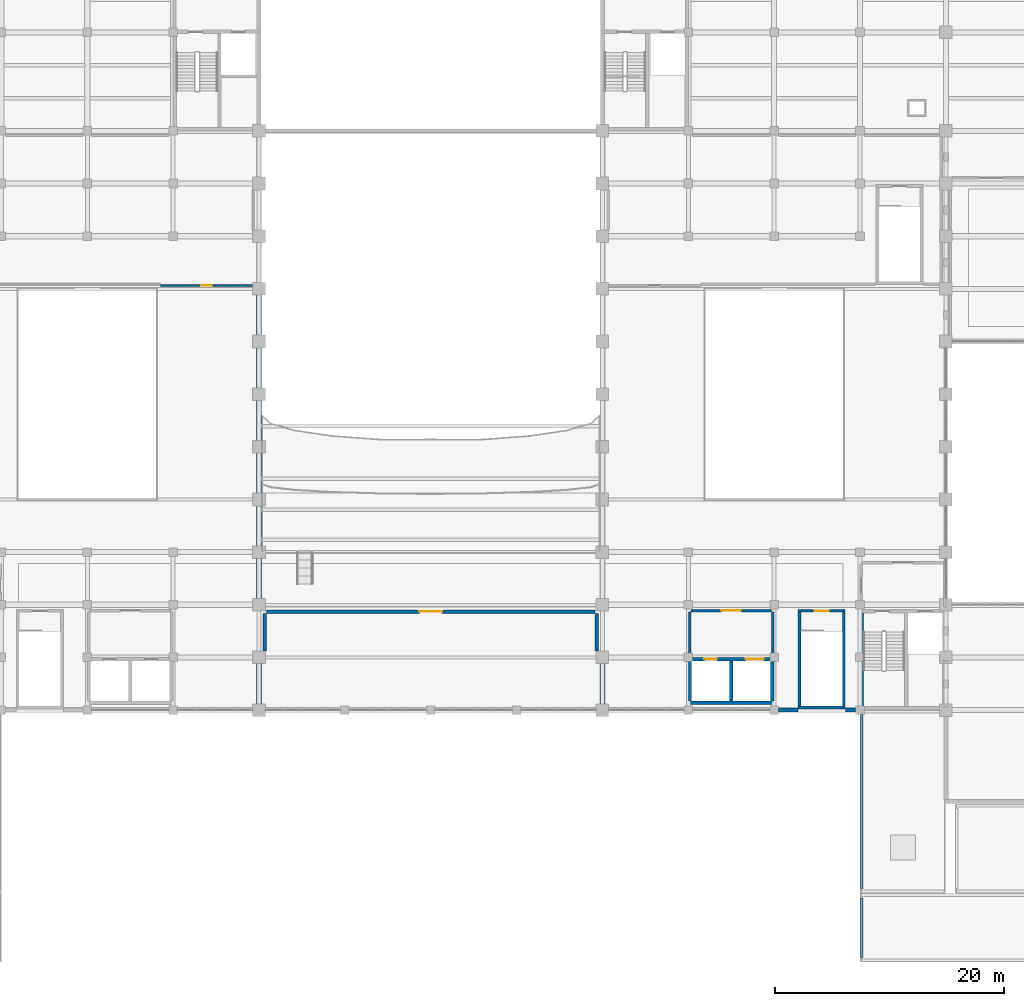
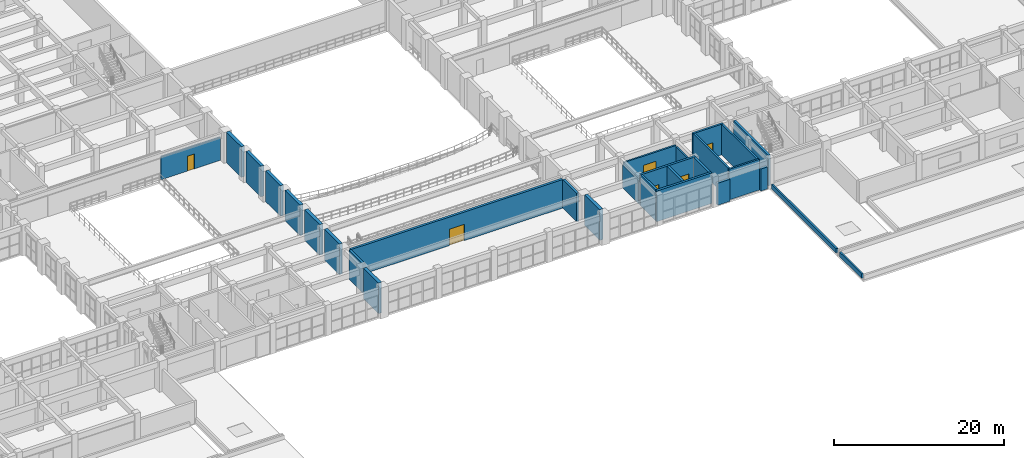
# One storey, part 70 of 90: 29 walls, 6 doors, 6 openings.
"""IFC4 building model written with IfcOpenShell, lengths in metres."""

from ifc_helpers import new_model, si_unit, direction, frame, frame_2d, origin, place, context, subcontext, project, spatial, rectangle, extrude, material, layer, layer_set, type_object, element, fill, save


model = new_model("IFC4")

# Units and contexts
model_context = context("Model", 3, precision=1e-05, world=origin(), true_north=direction((0.0, 1.0)))
body_context = subcontext(model_context, "Body", "Model", "MODEL_VIEW")
ifc_project = project(units=[si_unit("LENGTHUNIT", "METRE"), si_unit("AREAUNIT", "SQUARE_METRE"), si_unit("VOLUMEUNIT", "CUBIC_METRE"), si_unit("PLANEANGLEUNIT", "RADIAN"), si_unit("MASSUNIT", "GRAM", prefix="KILO")], contexts=[model_context])

# Site, building, storey
site_placement = place(None, origin())
site = spatial("IfcSite", under=ifc_project, at=site_placement, CompositionType="ELEMENT")
building_placement = place(site_placement, origin())
building = spatial("IfcBuilding", under=site, at=building_placement, Name="Muzn Square Opera House", CompositionType="ELEMENT")
storey_placement = place(building_placement, frame((0.0, 0.0, 9.800048828125)))
storey = spatial("IfcBuildingStorey", under=building, at=storey_placement, Name="L02", CompositionType="ELEMENT", Elevation=9.800048828125)

# Wall, opening, door
ifc_material_1 = material(Name="Acoustic gypsum stud partition", Category="gypsum")
ifc_layer_1 = layer(ifc_material_1, 0.320068359375, Name="Acoustic gypsum stud partition", Category="gypsum")
ifc_layer_set_1 = layer_set([ifc_layer_1], Name="Acoustic gypsum stud partition")
wall_type_1 = type_object("IfcWallType", Name="Acoustic Studio Double Wall 320mm", PredefinedType="PARTITIONING", material=ifc_layer_set_1)
wall_1_placement = place(storey_placement, frame((73.64501953125, 30.60009765625, 0.0), z_axis=(0.0, 0.0, 1.0), x_axis=(1.0, 0.0, 0.0)))
wall_1 = element("IfcWall", 1, at=wall_1_placement, inside=storey, type_object=wall_type_1, Name="Interior Partition PW-L02-0248", PredefinedType="PARTITIONING", context=body_context, shape_type="SweptSolid", body=[
    extrude(rectangle(XDim=28.7099609375, YDim=0.320068359375, at=frame_2d((14.35498046875, 0.0))), origin(), (0.0, 0.0, 1.0), 4.099853515625),
])
opening_1_placement = place(wall_1_placement, frame((13.35498046875, 0.0, 0.0)))
opening_1 = element("IfcOpeningElement", 2, at=opening_1_placement, cuts=wall_1, Name="Opening DR-AU20", PredefinedType="OPENING", context=body_context, shape_type="SweptSolid", body=[
    extrude(rectangle(XDim=2.0, YDim=2.35009765625, at=frame_2d((1.0, 1.175048828125))), frame((0.0, 0.169921875, 0.0), z_axis=(0.0, -1.0, 0.0), x_axis=(1.0, 0.0, 0.0)), (0.0, 0.0, 1.0), 0.340087890625),
])
ifc_material_2 = material(Name="Acoustic hardwood leaf", Category="wood")
door_type_1 = type_object("IfcDoorType", Name="Auditorium Acoustic Sound-Lock Pair 2000x2350", OperationType="DOUBLE_DOOR_SINGLE_SWING", PredefinedType="DOOR", material=ifc_material_2)
door_1_placement = place(opening_1_placement, origin())
door_1 = element("IfcDoor", 3, at=door_1_placement, inside=storey, type_object=door_type_1, Name="Auditorium Upper Circle Door DR-L02-0070", OperationType="DOUBLE_DOOR_SINGLE_SWING", OverallHeight=2.35009765625, OverallWidth=2.0, PredefinedType="DOOR", context=body_context, shape_type="SweptSolid", body=[
    extrude(rectangle(XDim=2.0, YDim=2.35009765625, at=frame_2d((1.0, 1.175048828125))), frame((0.0, 0.02490234375, 0.0), z_axis=(0.0, -1.0, 0.0), x_axis=(1.0, 0.0, 0.0)), (0.0, 0.0, 1.0), 0.050048828125),
])
fill(opening_1, door_1)

# Walls
for number, where, z_axis, x_axis, name in (
    (4, (73.5, 27.169921875, 0.0), (0.0, 0.0, 1.0), (0.0, 1.0, 0.0), "Room Enclosure Partition PW-L02-0294"),
    (5, (102.5, 27.169921875, 0.0), (0.0, 0.0, 1.0), (0.0, 1.0, 0.0), "Room Enclosure Partition PW-L02-0295"),
):
    element("IfcWall", number, at=place(storey_placement, frame(where, z_axis=z_axis, x_axis=x_axis)), inside=storey, type_object=wall_type_1, Name=name, PredefinedType="PARTITIONING", context=body_context, shape_type="SweptSolid", body=[
        extrude(rectangle(XDim=3.28515625, YDim=0.320068359375, at=frame_2d((1.642578125, 0.0))), origin(), (0.0, 0.0, 1.0), 4.099853515625),
    ])
ifc_material_3 = material(Name="Concrete C45/55", Category="concrete")
ifc_layer_2 = layer(ifc_material_3, 0.419921875, Name="Concrete C45/55", Category="concrete")
ifc_layer_set_2 = layer_set([ifc_layer_2], Name="Concrete C45/55")
wall_type_2 = type_object("IfcWallType", Name="Auditorium Acoustic Shear Wall 420mm", PredefinedType="SHEAR", material=ifc_layer_set_2)
for number, where, z_axis, x_axis, name in (
    (6, (73.0, 22.5400390625, 0.0), (0.0, 0.0, 1.0), (0.0, 1.0, 0.0), "Auditorium Acoustic Shear Wall AUDW-L02-W00"),
    (7, (103.0, 22.5400390625, 0.0), (0.0, 0.0, 1.0), (0.0, 1.0, 0.0), "Auditorium Acoustic Shear Wall AUDW-L02-E00"),
    (8, (73.0, 31.739990234375, 0.0), (0.0, 0.0, 1.0), (0.0, 1.0, 0.0), "Auditorium Acoustic Shear Wall AUDW-L02-W02"),
    (9, (73.0, 36.340087890625, 0.0), (0.0, 0.0, 1.0), (0.0, 1.0, 0.0), "Auditorium Acoustic Shear Wall AUDW-L02-W03"),
    (10, (73.0, 40.93994140625, 0.0), (0.0, 0.0, 1.0), (0.0, 1.0, 0.0), "Auditorium Acoustic Shear Wall AUDW-L02-W04"),
    (11, (73.0, 45.5400390625, 0.0), (0.0, 0.0, 1.0), (0.0, 1.0, 0.0), "Auditorium Acoustic Shear Wall AUDW-L02-W05"),
    (12, (73.0, 50.139892578125, 0.0), (0.0, 0.0, 1.0), (0.0, 1.0, 0.0), "Auditorium Acoustic Shear Wall AUDW-L02-W06"),
    (13, (73.0, 54.739990234375, 0.0), (0.0, 0.0, 1.0), (0.0, 1.0, 0.0), "Auditorium Acoustic Shear Wall AUDW-L02-W07"),
):
    element("IfcWall", number, at=place(storey_placement, frame(where, z_axis=z_axis, x_axis=x_axis)), inside=storey, type_object=wall_type_2, Name=name, PredefinedType="SHEAR", context=body_context, shape_type="SweptSolid", body=[
        extrude(rectangle(XDim=3.52001953125, YDim=0.419921875, at=frame_2d((1.760009765625, 0.0))), origin(), (0.0, 0.0, 1.0), 4.39990234375),
    ])
ifc_layer_3 = layer(ifc_material_3, 0.25, Name="Concrete C45/55", Category="concrete")
ifc_layer_set_3 = layer_set([ifc_layer_3], Name="Concrete C45/55")
wall_type_3 = type_object("IfcWallType", Name="Aux Stair Enclosure Wall 250mm", PredefinedType="SHEAR", material=ifc_layer_set_3)
wall_2_placement = place(storey_placement, frame((120.10009765625, 22.22509765625, 0.0), z_axis=(0.0, 0.0, 1.0), x_axis=(1.0, 0.0, 0.0)))
element("IfcWall", 14, at=wall_2_placement, inside=storey, type_object=wall_type_3, Name="Escape Stair ST-12 Wall S L02", PredefinedType="SHEAR", context=body_context, shape_type="SweptSolid", body=[
    extrude(rectangle(XDim=4.099853515625, YDim=0.25, at=frame_2d((2.0498046875, 0.0))), origin(), (0.0, 0.0, 1.0), 4.39990234375),
])
for number, where, z_axis, x_axis, name in (
    (15, (120.22509765625, 22.35009765625, 0.0), (0.0, 0.0, 1.0), (0.0, 1.0, 0.0), "Escape Stair ST-12 Wall W L02"),
    (16, (124.074951171875, 22.35009765625, 0.0), (0.0, 0.0, 1.0), (0.0, 1.0, 0.0), "Escape Stair ST-12 Wall E L02"),
):
    element("IfcWall", number, at=place(storey_placement, frame(where, z_axis=z_axis, x_axis=x_axis)), inside=storey, type_object=wall_type_3, Name=name, PredefinedType="SHEAR", context=body_context, shape_type="SweptSolid", body=[
        extrude(rectangle(XDim=8.199951171875, YDim=0.25, at=frame_2d((4.10009765625, 0.0))), origin(), (0.0, 0.0, 1.0), 4.39990234375),
    ])

# Wall, opening, door
wall_3_placement = place(storey_placement, frame((120.10009765625, 30.675048828125, 0.0), z_axis=(0.0, 0.0, 1.0), x_axis=(1.0, 0.0, 0.0)))
wall_3 = element("IfcWall", 17, at=wall_3_placement, inside=storey, type_object=wall_type_3, Name="Escape Stair ST-12 Wall N L02", PredefinedType="SHEAR", context=body_context, shape_type="SweptSolid", body=[
    extrude(rectangle(XDim=4.099853515625, YDim=0.25, at=frame_2d((2.0498046875, 0.0))), origin(), (0.0, 0.0, 1.0), 4.39990234375),
])
opening_2_placement = place(wall_3_placement, frame((1.449951171875, 0.0, 0.0)))
opening_2 = element("IfcOpeningElement", 18, at=opening_2_placement, cuts=wall_3, Name="Opening DR-ST12", PredefinedType="OPENING", context=body_context, shape_type="SweptSolid", body=[
    extrude(rectangle(XDim=1.199951171875, YDim=2.14990234375, at=frame_2d((0.60009765625, 1.074951171875))), frame((0.0, 0.135009765625, 0.0), z_axis=(0.0, -1.0, 0.0), x_axis=(1.0, 0.0, 0.0)), (0.0, 0.0, 1.0), 0.27001953125),
])
ifc_material_4 = material(Name="Galvanised painted steel leaf", Category="metal")
door_type_2 = type_object("IfcDoorType", Name="Core Stair Fire Door 1200x2150", OperationType="NOTDEFINED", PredefinedType="DOOR", material=ifc_material_4)
door_2_placement = place(opening_2_placement, origin())
door_2 = element("IfcDoor", 19, at=door_2_placement, inside=storey, type_object=door_type_2, Name="Escape Stair ST-12 Door L02", OperationType="SINGLE_SWING_LEFT", OverallHeight=2.14990234375, OverallWidth=1.199951171875, PredefinedType="DOOR", context=body_context, shape_type="SweptSolid", body=[
    extrude(rectangle(XDim=1.199951171875, YDim=2.14990234375, at=frame_2d((0.60009765625, 1.074951171875))), frame((0.0, 0.02490234375, 0.0), z_axis=(0.0, -1.0, 0.0), x_axis=(1.0, 0.0, 0.0)), (0.0, 0.0, 1.0), 0.050048828125),
])
fill(opening_2, door_2)

# Walls
ifc_layer_4 = layer(ifc_material_3, 0.300048828125, Name="Concrete C45/55", Category="concrete")
ifc_layer_set_4 = layer_set([ifc_layer_4], Name="Concrete C45/55")
wall_type_4 = type_object("IfcWallType", Name="Core Shear Wall 300mm", PredefinedType="SHEAR", material=ifc_layer_set_4)
wall_4_placement = place(storey_placement, frame((125.64990234375, 22.300048828125, 0.0), z_axis=(0.0, 0.0, 1.0), x_axis=(0.0, 1.0, 0.0)))
element("IfcWall", 20, at=wall_4_placement, inside=storey, type_object=wall_type_4, Name="Core C4 Shear Wall SW-C4-L02-W", PredefinedType="SHEAR", context=body_context, shape_type="SweptSolid", body=[
    extrude(rectangle(XDim=8.199951171875, YDim=0.300048828125, at=frame_2d((4.10009765625, 0.0))), origin(), (0.0, 0.0, 1.0), 4.39990234375),
])
wall_5_placement = place(storey_placement, frame((110.5, 22.64990234375, 0.0), z_axis=(0.0, 0.0, 1.0), x_axis=(1.0, 0.0, 0.0)))
element("IfcWall", 21, at=wall_5_placement, inside=storey, type_object=wall_type_4, Name="Lift Bank LBE Shear Wall SW-LBE-L02-S", PredefinedType="SHEAR", context=body_context, shape_type="SweptSolid", body=[
    extrude(rectangle(XDim=7.5, YDim=0.300048828125, at=frame_2d((3.75, 0.0))), origin(), (0.0, 0.0, 1.0), 4.39990234375),
])
for number, where, z_axis, x_axis, name in (
    (22, (110.64990234375, 22.800048828125, 0.0), (0.0, 0.0, 1.0), (0.0, 1.0, 0.0), "Lift Bank LBE Shear Wall SW-LBE-L02-W"),
    (23, (117.85009765625, 22.800048828125, 0.0), (0.0, 0.0, 1.0), (0.0, 1.0, 0.0), "Lift Bank LBE Shear Wall SW-LBE-L02-E"),
    (24, (114.25, 22.800048828125, 0.0), (0.0, 0.0, 1.0), (0.0, 1.0, 0.0), "Lift Bank LBE Shear Wall SW-LBE-L02-DIV"),
):
    element("IfcWall", number, at=place(storey_placement, frame(where, z_axis=z_axis, x_axis=x_axis)), inside=storey, type_object=wall_type_4, Name=name, PredefinedType="SHEAR", context=body_context, shape_type="SweptSolid", body=[
        extrude(rectangle(XDim=3.5, YDim=0.300048828125, at=frame_2d((1.75, 0.0))), origin(), (0.0, 0.0, 1.0), 4.39990234375),
    ])

# Wall, openings, doors
wall_6_placement = place(storey_placement, frame((110.5, 26.449951171875, 0.0), z_axis=(0.0, 0.0, 1.0), x_axis=(1.0, 0.0, 0.0)))
wall_6 = element("IfcWall", 25, at=wall_6_placement, inside=storey, type_object=wall_type_4, Name="Lift Bank LBE Front Wall L02", PredefinedType="SHEAR", context=body_context, shape_type="SweptSolid", body=[
    extrude(rectangle(XDim=7.5, YDim=0.300048828125, at=frame_2d((3.75, 0.0))), origin(), (0.0, 0.0, 1.0), 4.39990234375),
])
opening_3_placement = place(wall_6_placement, frame((1.39990234375, 0.0, 0.0)))
opening_3 = element("IfcOpeningElement", 26, at=opening_3_placement, cuts=wall_6, Name="Opening LD-01", PredefinedType="OPENING", context=body_context, shape_type="SweptSolid", body=[
    extrude(rectangle(XDim=1.10009765625, YDim=2.14990234375, at=frame_2d((0.550048828125, 1.074951171875))), frame((0.0, 0.159912109375, 0.0), z_axis=(0.0, -1.0, 0.0), x_axis=(1.0, 0.0, 0.0)), (0.0, 0.0, 1.0), 0.320068359375),
])
opening_4_placement = place(wall_6_placement, frame((5.0, 0.0, 0.0)))
opening_4 = element("IfcOpeningElement", 27, at=opening_4_placement, cuts=wall_6, Name="Opening LD-02", PredefinedType="OPENING", context=body_context, shape_type="SweptSolid", body=[
    extrude(rectangle(XDim=1.60009765625, YDim=2.25, at=frame_2d((0.800048828125, 1.125))), frame((0.0, 0.159912109375, 0.0), z_axis=(0.0, -1.0, 0.0), x_axis=(1.0, 0.0, 0.0)), (0.0, 0.0, 1.0), 0.320068359375),
])
ifc_material_5 = material(Name="Brushed stainless steel", Category="metal")
door_type_3 = type_object("IfcDoorType", Name="Goods Lift Sliding Door 1600x2250", OperationType="SLIDING_TO_LEFT", PredefinedType="DOOR", material=ifc_material_5)
door_3_placement = place(opening_4_placement, origin())
door_3 = element("IfcDoor", 28, at=door_3_placement, inside=storey, type_object=door_type_3, Name="Lift GL-2 Sliding Landing Door L02", OperationType="SLIDING_TO_LEFT", OverallHeight=2.25, OverallWidth=1.60009765625, PredefinedType="DOOR", context=body_context, shape_type="SweptSolid", body=[
    extrude(rectangle(XDim=1.60009765625, YDim=2.25, at=frame_2d((0.800048828125, 1.125))), frame((0.0, 0.02490234375, 0.0), z_axis=(0.0, -1.0, 0.0), x_axis=(1.0, 0.0, 0.0)), (0.0, 0.0, 1.0), 0.050048828125),
])
fill(opening_4, door_3)
door_type_4 = type_object("IfcDoorType", Name="Lift Landing Sliding Door 1100x2150", OperationType="SLIDING_TO_LEFT", PredefinedType="DOOR", material=ifc_material_5)
door_4_placement = place(opening_3_placement, origin())
door_4 = element("IfcDoor", 29, at=door_4_placement, inside=storey, type_object=door_type_4, Name="Lift PL-4 Sliding Landing Door L02", OperationType="SLIDING_TO_LEFT", OverallHeight=2.14990234375, OverallWidth=1.10009765625, PredefinedType="DOOR", context=body_context, shape_type="SweptSolid", body=[
    extrude(rectangle(XDim=1.10009765625, YDim=2.14990234375, at=frame_2d((0.550048828125, 1.074951171875))), frame((0.0, 0.02490234375, 0.0), z_axis=(0.0, -1.0, 0.0), x_axis=(1.0, 0.0, 0.0)), (0.0, 0.0, 1.0), 0.050048828125),
])
fill(opening_3, door_4)

# Walls
ifc_material_6 = material(Name="Concrete C40/50", Category="concrete")
ifc_layer_5 = layer(ifc_material_6, 0.340087890625, Name="Concrete C40/50", Category="concrete")
ifc_layer_set_5 = layer_set([ifc_layer_5], Name="Concrete C40/50")
wall_type_5 = type_object("IfcWallType", Name="Exterior Insulated Spandrel Wall 340mm", PredefinedType="SOLIDWALL", material=ifc_layer_set_5)
wall_7_placement = place(storey_placement, frame((118.375, 22.0, 0.0), z_axis=(0.0, 0.0, 1.0), x_axis=(1.0, 0.0, 0.0)))
element("IfcWall", 30, at=wall_7_placement, inside=storey, type_object=wall_type_5, Name="Exterior Facade Wall EW-L02-209", PredefinedType="SOLIDWALL", context=body_context, shape_type="SweptSolid", body=[
    extrude(rectangle(XDim=1.705078125, YDim=0.340087890625, at=frame_2d((0.8525390625, 0.0))), origin(), (0.0, 0.0, 1.0), 3.14990234375),
])
wall_8_placement = place(storey_placement, frame((124.219970703125, 22.0, 0.0), z_axis=(0.0, 0.0, 1.0), x_axis=(1.0, 0.0, 0.0)))
element("IfcWall", 31, at=wall_8_placement, inside=storey, type_object=wall_type_5, Name="Exterior Facade Wall EW-L02-209", PredefinedType="SOLIDWALL", context=body_context, shape_type="SweptSolid", body=[
    extrude(rectangle(XDim=0.905029296875, YDim=0.340087890625, at=frame_2d((0.45263671875, 0.0))), origin(), (0.0, 0.0, 1.0), 3.14990234375),
])

# Wall, opening, door
ifc_layer_6 = layer(ifc_material_6, 0.219970703125, Name="Concrete C40/50", Category="concrete")
ifc_layer_set_6 = layer_set([ifc_layer_6], Name="Concrete C40/50")
wall_type_6 = type_object("IfcWallType", Name="Lift Lobby Wall 220mm", PredefinedType="SOLIDWALL", material=ifc_layer_set_6)
wall_9_placement = place(storey_placement, frame((110.719970703125, 30.68994140625, 0.0), z_axis=(0.0, 0.0, 1.0), x_axis=(1.0, 0.0, 0.0)))
wall_9 = element("IfcWall", 32, at=wall_9_placement, inside=storey, type_object=wall_type_6, Name="Lift Lobby LBE Wall L02", PredefinedType="SOLIDWALL", context=body_context, shape_type="SweptSolid", body=[
    extrude(rectangle(XDim=7.06005859375, YDim=0.219970703125, at=frame_2d((3.530029296875, 0.0))), origin(), (0.0, 0.0, 1.0), 3.5),
])
opening_5_placement = place(wall_9_placement, frame((2.679931640625, 0.0, 0.0)))
opening_5 = element("IfcOpeningElement", 33, at=opening_5_placement, cuts=wall_9, Name="Opening DR-LL17", PredefinedType="OPENING", context=body_context, shape_type="SweptSolid", body=[
    extrude(rectangle(XDim=1.699951171875, YDim=2.179931640625, at=frame_2d((0.85009765625, 1.08984375))), frame((0.0, 0.119873046875, 0.0), z_axis=(0.0, -1.0, 0.0), x_axis=(1.0, 0.0, 0.0)), (0.0, 0.0, 1.0), 0.239990234375),
])
door_type_5 = type_object("IfcDoorType", Name="Lift Lobby Double Door 1700x2180", OperationType="DOUBLE_DOOR_SINGLE_SWING", PredefinedType="DOOR", material=ifc_material_2)
door_5_placement = place(opening_5_placement, origin())
door_5 = element("IfcDoor", 34, at=door_5_placement, inside=storey, type_object=door_type_5, Name="Lift Lobby LBE Door L02", OperationType="DOUBLE_DOOR_SINGLE_SWING", OverallHeight=2.179931640625, OverallWidth=1.699951171875, PredefinedType="DOOR", context=body_context, shape_type="SweptSolid", body=[
    extrude(rectangle(XDim=1.699951171875, YDim=2.179931640625, at=frame_2d((0.85009765625, 1.08984375))), frame((0.0, 0.02490234375, 0.0), z_axis=(0.0, -1.0, 0.0), x_axis=(1.0, 0.0, 0.0)), (0.0, 0.0, 1.0), 0.050048828125),
])
fill(opening_5, door_5)

# Walls
for number, where, z_axis, x_axis, name in (
    (35, (110.610107421875, 26.75, 0.0), (0.0, 0.0, 1.0), (0.0, 1.0, 0.0), "Lift Lobby LBE Side Wall W L02"),
    (36, (117.889892578125, 26.75, 0.0), (0.0, 0.0, 1.0), (0.0, 1.0, 0.0), "Lift Lobby LBE Side Wall E L02"),
):
    element("IfcWall", number, at=place(storey_placement, frame(where, z_axis=z_axis, x_axis=x_axis)), inside=storey, type_object=wall_type_6, Name=name, PredefinedType="SOLIDWALL", context=body_context, shape_type="SweptSolid", body=[
        extrude(rectangle(XDim=3.830078125, YDim=0.219970703125, at=frame_2d((1.9150390625, 0.0))), origin(), (0.0, 0.0, 1.0), 3.300048828125),
    ])

# Wall, opening, door
ifc_layer_7 = layer(ifc_material_1, 0.14990234375, Name="Acoustic gypsum stud partition", Category="gypsum")
ifc_layer_set_7 = layer_set([ifc_layer_7], Name="Acoustic gypsum stud partition")
wall_type_7 = type_object("IfcWallType", Name="Office Acoustic Partition 150mm", PredefinedType="PARTITIONING", material=ifc_layer_set_7)
wall_10_placement = place(storey_placement, frame((64.39990234375, 59.10009765625, 0.0), z_axis=(0.0, 0.0, 1.0), x_axis=(1.0, 0.0, 0.0)))
wall_10 = element("IfcWall", 37, at=wall_10_placement, inside=storey, type_object=wall_type_7, Name="Interior Partition PW-L02-0249", PredefinedType="PARTITIONING", context=body_context, shape_type="SweptSolid", body=[
    extrude(rectangle(XDim=8.030029296875, YDim=0.14990234375, at=frame_2d((4.01513671875, 0.0))), origin(), (0.0, 0.0, 1.0), 3.346923828125),
])
opening_6_placement = place(wall_10_placement, frame((3.5400390625, 0.0, 0.0)))
opening_6 = element("IfcOpeningElement", 38, at=opening_6_placement, cuts=wall_10, Name="Opening DR-OF95", PredefinedType="OPENING", context=body_context, shape_type="SweptSolid", body=[
    extrude(rectangle(XDim=0.949951171875, YDim=2.14990234375, at=frame_2d((0.47509765625, 1.074951171875))), frame((0.0, 0.0849609375, 0.0), z_axis=(0.0, -1.0, 0.0), x_axis=(1.0, 0.0, 0.0)), (0.0, 0.0, 1.0), 0.169921875),
])
door_type_6 = type_object("IfcDoorType", Name="Office Room Door 950x2150", OperationType="NOTDEFINED", PredefinedType="DOOR", material=ifc_material_2)
door_6_placement = place(opening_6_placement, origin())
door_6 = element("IfcDoor", 39, at=door_6_placement, inside=storey, type_object=door_type_6, Name="Ceremonial Reception Salon Door DR-L02-0071", OperationType="SINGLE_SWING_LEFT", OverallHeight=2.14990234375, OverallWidth=0.949951171875, PredefinedType="DOOR", context=body_context, shape_type="SweptSolid", body=[
    extrude(rectangle(XDim=0.949951171875, YDim=2.14990234375, at=frame_2d((0.47509765625, 1.074951171875))), frame((0.0, 0.02490234375, 0.0), z_axis=(0.0, -1.0, 0.0), x_axis=(1.0, 0.0, 0.0)), (0.0, 0.0, 1.0), 0.050048828125),
])
fill(opening_6, door_6)

# Walls
ifc_material_7 = material(Name="Precast concrete C40/50", Category="concrete")
ifc_layer_8 = layer(ifc_material_7, 0.239990234375, Name="Precast concrete C40/50", Category="concrete")
ifc_layer_set_8 = layer_set([ifc_layer_8], Name="Precast concrete C40/50")
wall_type_8 = type_object("IfcWallType", Name="Roof Parapet Wall 240mm", PredefinedType="PARAPET", material=ifc_layer_set_8)
wall_11_placement = place(storey_placement, frame((125.64990234375, 0.39990234375, 0.0), z_axis=(0.0, 0.0, 1.0), x_axis=(0.0, 1.0, 0.0)))
element("IfcWall", 40, at=wall_11_placement, inside=storey, type_object=wall_type_8, Name="Roof Parapet ROOF-L02-COL-ES-W", PredefinedType="PARAPET", context=body_context, shape_type="SweptSolid", body=[
    extrude(rectangle(XDim=5.2001953125, YDim=0.239990234375, at=frame_2d((2.60009765625, 0.0))), origin(), (0.0, 0.0, 1.0), 0.64990234375),
])
wall_12_placement = place(storey_placement, frame((125.64990234375, 6.39990234375, 0.0), z_axis=(0.0, 0.0, 1.0), x_axis=(0.0, 1.0, 0.0)))
element("IfcWall", 41, at=wall_12_placement, inside=storey, type_object=wall_type_8, Name="Roof Parapet ROOF-L02-COL-EFC-W", PredefinedType="PARAPET", context=body_context, shape_type="SweptSolid", body=[
    extrude(rectangle(XDim=15.2001953125, YDim=0.239990234375, at=frame_2d((7.60009765625, 0.0))), origin(), (0.0, 0.0, 1.0), 0.64990234375),
])

save(model, "model.ifc")
